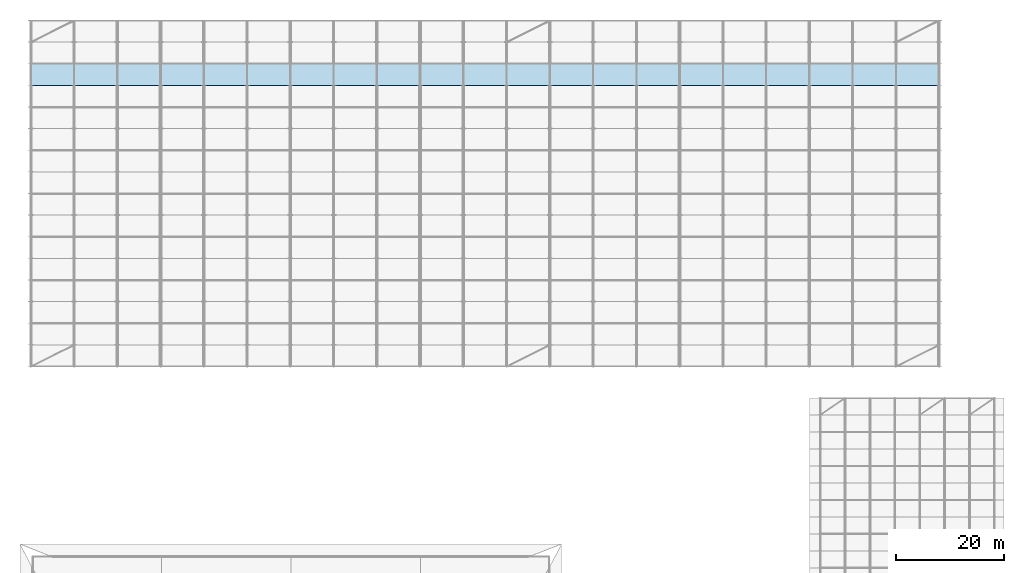
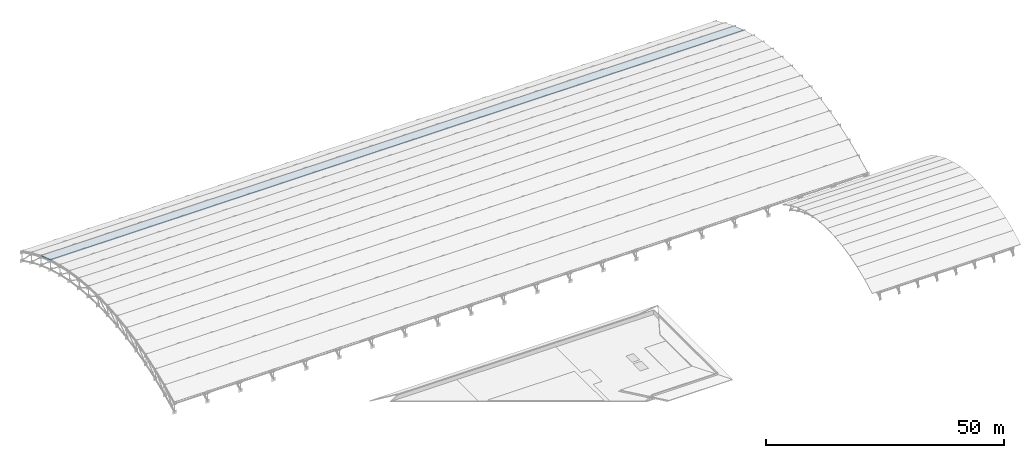
# One storey, part 88 of 98: 1 slab.
"""IFC4 building model written with IfcOpenShell, lengths in metres."""

from ifc_helpers import new_model, si_unit, direction, frame, origin, place, context, subcontext, project, spatial, polyline, outline, extrude, material, layer, layer_set, type_object, element, save


model = new_model("IFC4")

# Units and contexts
model_context = context("Model", 3, precision=1e-05, world=origin(), true_north=direction((0.0, 1.0)))
body_context = subcontext(model_context, "Body", "Model", "MODEL_VIEW")
ifc_project = project(units=[si_unit("LENGTHUNIT", "METRE"), si_unit("AREAUNIT", "SQUARE_METRE"), si_unit("VOLUMEUNIT", "CUBIC_METRE"), si_unit("PLANEANGLEUNIT", "RADIAN"), si_unit("MASSUNIT", "GRAM", prefix="KILO")], contexts=[model_context])

# Site, building, storey
site_placement = place(None, origin())
site = spatial("IfcSite", under=ifc_project, at=site_placement, CompositionType="ELEMENT")
building_placement = place(site_placement, origin())
building = spatial("IfcBuilding", under=site, at=building_placement, Name="Tlacozan Convention Centre", CompositionType="ELEMENT")
storey_placement = place(building_placement, frame((0.0, 0.0, 25.800048828125)))
storey = spatial("IfcBuildingStorey", under=building, at=storey_placement, Name="Roof", CompositionType="ELEMENT", Elevation=25.800048828125)

# Slab
ifc_material = material(Name="Concrete C40/50", Category="concrete")
ifc_layer = layer(ifc_material, 0.179931640625)
ifc_layer_set = layer_set([ifc_layer], Name="Concrete C40/50")
slab_type = type_object("IfcSlabType", Name="Exhibition Arched Roof Deck 180", PredefinedType="ROOF", material=ifc_layer_set)
slab_placement = place(storey_placement, frame((0.0, 114.0, -5.2978515625), z_axis=(0.0, 0.323684958077, 0.946164915813), x_axis=(1.0, 0.0, 0.0)))
element("IfcSlab", 1, at=slab_placement, inside=storey, type_object=slab_type, Name="V2A Arched Roof Facet Slab 14", PredefinedType="ROOF", context=body_context, shape_type="SweptSolid", body=[
    extrude(outline(polyline([(0.0, 0.0), (168.0, 0.0), (168.0, 4.227592815111194), (0.0, 4.227592815111194), (0.0, 0.0)])), origin(), (0.0, 0.0, -1.0), 0.179931640625),
])

save(model, "model.ifc")
